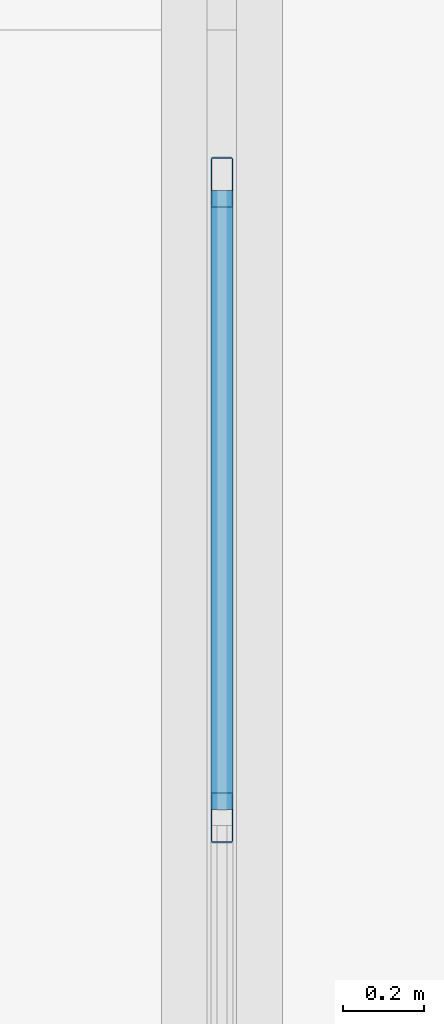
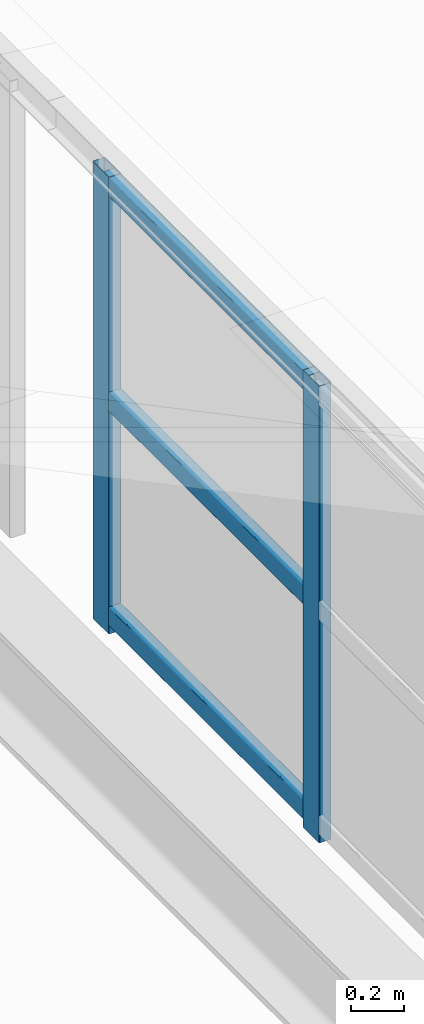
# One storey, part 103 of 262: 5 members, 1 element without a shape of its own.
"""IFC4 building model written with IfcOpenShell, lengths in metres."""

from ifc_helpers import new_model, si_unit, derived_unit, direction, frame, origin, origin_2d, place, context, subcontext, project, spatial, hollow_rectangle, extrude, material, layer, layer_set, material_profile, profile_set, type_object, element, aggregate, save


model = new_model("IFC4")

# Units and contexts
model_context = context("Model", 3, precision=1e-05, world=origin(), true_north=direction((0.0, 1.0)))
body_context = subcontext(model_context, "Body", "Model", "MODEL_VIEW")
ifc_project = project(units=[si_unit("LENGTHUNIT", "METRE"), si_unit("AREAUNIT", "SQUARE_METRE"), si_unit("VOLUMEUNIT", "CUBIC_METRE"), si_unit("PLANEANGLEUNIT", "RADIAN"), si_unit("MASSUNIT", "GRAM", prefix="KILO"), derived_unit("THERMALTRANSMITTANCEUNIT", [(si_unit("POWERUNIT", "WATT"), 1), (si_unit("LENGTHUNIT", "METRE"), -2), (si_unit("THERMODYNAMICTEMPERATUREUNIT", "KELVIN"), -1)])], contexts=[model_context])

# Site, building, storey
site_placement = place(None, origin())
site = spatial("IfcSite", under=ifc_project, at=site_placement, CompositionType="ELEMENT")
building_placement = place(site_placement, origin())
building = spatial("IfcBuilding", under=site, at=building_placement, Name="Almenara Railside Exhibition Hall", CompositionType="ELEMENT")
storey_placement = place(building_placement, frame((0.0, 0.0, 21.699951171875)))
storey = spatial("IfcBuildingStorey", under=building, at=storey_placement, Name="RF", CompositionType="ELEMENT", Elevation=21.699951171875)

# Curtain wall, members
ifc_material_1 = material(Name="Bronze-anodised aluminium and low-E double glazing", Category="aluminium")
ifc_layer = layer(ifc_material_1, 0.179931640625, Name="Bronze-anodised aluminium and low-E double glazing")
ifc_layer_set = layer_set([ifc_layer], Name="Bronze-anodised aluminium and low-E double glazing")
curtain_wall_type = type_object("IfcCurtainWallType", Name="West Hall Clerestory Curtain Wall 4200x2400", PredefinedType="NOTDEFINED", material=ifc_layer_set)
curtain_wall_placement = place(storey_placement, origin())
curtain_wall = element("IfcCurtainWall", 1, at=curtain_wall_placement, inside=storey, type_object=curtain_wall_type, Name="Curtain wall CW-CL1-182", PredefinedType="NOTDEFINED")
ifc_material_2 = material(Name="Bronze-anodised aluminium", Category="aluminium")
ifc_material_profile_1 = material_profile(ifc_material_2, hollow_rectangle(XDim=0.054931640625, YDim=0.125, WallThickness=0.0029296875, InnerFilletRadius=0.0029296875, OuterFilletRadius=0.006103515625, at=origin_2d()), Name="ALU-MUL 55x125x3")
ifc_profile_set_1 = profile_set([ifc_material_profile_1], Name="Bronze-anodised aluminium")
member_type_1 = type_object("IfcMemberType", Name="Curtain Wall Mullion 55x125x3", PredefinedType="MULLION", material=ifc_profile_set_1)
member_1_placement = place(storey_placement, frame((66.0, 88.050048828125, -2.0849609375), z_axis=(0.0, 0.0, 1.0), x_axis=(-1.0, 0.0, 0.0)))
member_1 = element("IfcMember", 2, at=member_1_placement, type_object=member_type_1, Name="CW-CL1-182 mullion 3", PredefinedType="MULLION", context=body_context, shape_type="SweptSolid", body=[
    extrude(hollow_rectangle(XDim=0.054931640625, YDim=0.125, WallThickness=0.0029296875, InnerFilletRadius=0.0029296875, OuterFilletRadius=0.006103515625, at=origin_2d()), origin(), (0.0, 0.0, 1.0), 2.0849609375),
])
member_2_placement = place(storey_placement, frame((66.0, 89.62255859375, -2.0849609375), z_axis=(0.0, 0.0, 1.0), x_axis=(-1.0, 0.0, 0.0)))
member_2 = element("IfcMember", 3, at=member_2_placement, type_object=member_type_1, Name="CW-CL1-182 mullion 4", PredefinedType="MULLION", context=body_context, shape_type="SweptSolid", body=[
    extrude(hollow_rectangle(XDim=0.054931640625, YDim=0.125, WallThickness=0.0029296875, InnerFilletRadius=0.0029296875, OuterFilletRadius=0.006103515625, at=origin_2d()), origin(), (0.0, 0.0, 1.0), 2.0849609375),
])
ifc_material_profile_2 = material_profile(ifc_material_2, hollow_rectangle(XDim=0.054931640625, YDim=0.090087890625, WallThickness=0.0029296875, InnerFilletRadius=0.0029296875, OuterFilletRadius=0.006103515625, at=origin_2d()), Name="ALU-TRN 55x90x3")
ifc_profile_set_2 = profile_set([ifc_material_profile_2], Name="Bronze-anodised aluminium")
member_type_2 = type_object("IfcMemberType", Name="Curtain Wall Transom 55x90x3", PredefinedType="USERDEFINED", material=ifc_profile_set_2)
member_3_placement = place(storey_placement, frame((66.0, 88.069580078125, -2.0048828125), z_axis=(0.0, 1.0, 0.0), x_axis=(-1.0, 0.0, 0.0)))
member_3 = element("IfcMember", 4, at=member_3_placement, type_object=member_type_2, Name="CW-CL1-182 transom 3.1", ObjectType="TRANSOM", PredefinedType="USERDEFINED", context=body_context, shape_type="SweptSolid", body=[
    extrude(hollow_rectangle(XDim=0.054931640625, YDim=0.090087890625, WallThickness=0.0029296875, InnerFilletRadius=0.0029296875, OuterFilletRadius=0.006103515625, at=origin_2d()), origin(), (0.0, 0.0, 1.0), 1.533447265625),
])
member_4_placement = place(storey_placement, frame((66.0, 88.069580078125, -1.02490234375), z_axis=(0.0, 1.0, 0.0), x_axis=(-1.0, 0.0, 0.0)))
member_4 = element("IfcMember", 5, at=member_4_placement, type_object=member_type_2, Name="CW-CL1-182 transom 3.2", ObjectType="TRANSOM", PredefinedType="USERDEFINED", context=body_context, shape_type="SweptSolid", body=[
    extrude(hollow_rectangle(XDim=0.054931640625, YDim=0.090087890625, WallThickness=0.0029296875, InnerFilletRadius=0.0029296875, OuterFilletRadius=0.006103515625, at=origin_2d()), origin(), (0.0, 0.0, 1.0), 1.533447265625),
])
member_5_placement = place(storey_placement, frame((66.0, 88.069580078125, -0.044921875), z_axis=(0.0, 1.0, 0.0), x_axis=(-1.0, 0.0, 0.0)))
member_5 = element("IfcMember", 6, at=member_5_placement, type_object=member_type_2, Name="CW-CL1-182 transom 3.3", ObjectType="TRANSOM", PredefinedType="USERDEFINED", context=body_context, shape_type="SweptSolid", body=[
    extrude(hollow_rectangle(XDim=0.054931640625, YDim=0.090087890625, WallThickness=0.0029296875, InnerFilletRadius=0.0029296875, OuterFilletRadius=0.006103515625, at=origin_2d()), origin(), (0.0, 0.0, 1.0), 1.533447265625),
])
aggregate(curtain_wall, [member_1, member_2, member_3, member_4, member_5])

save(model, "model.ifc")
